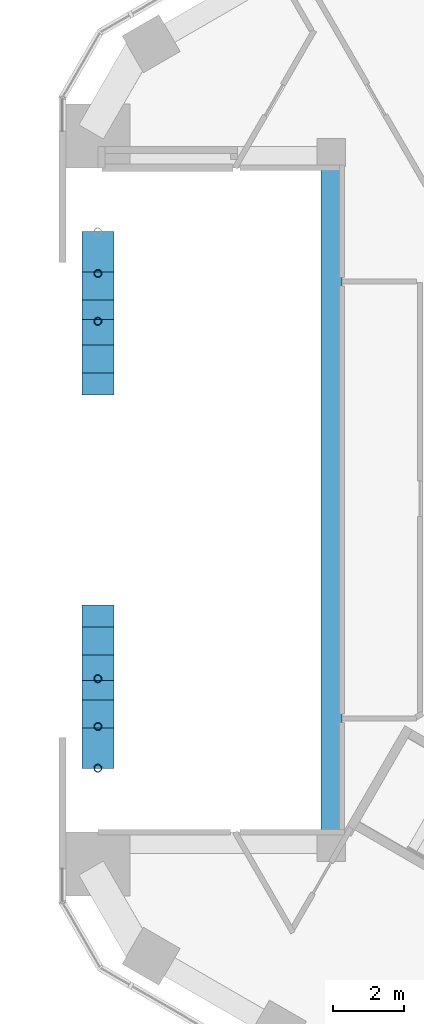
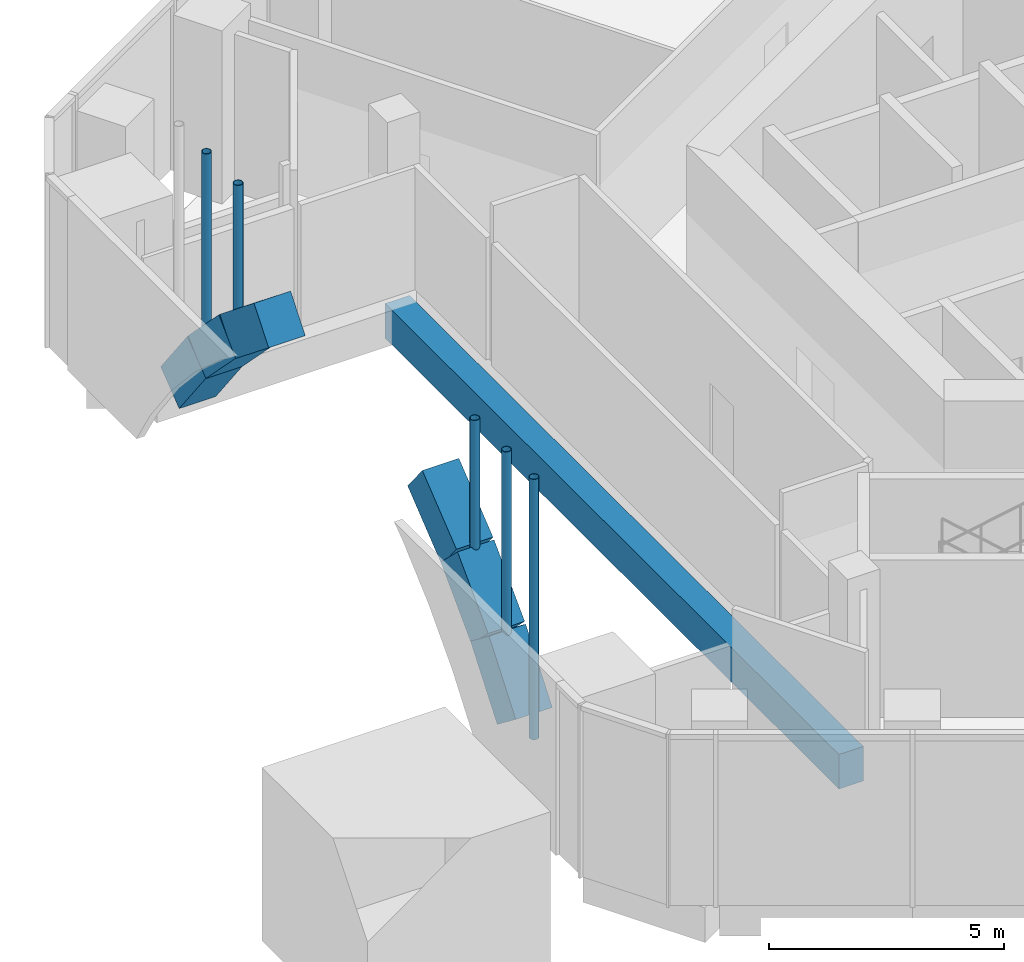
# One storey, part 3 of 14: 7 beams, 5 members.
"""IFC4 building model written with IfcOpenShell, lengths in metres."""

from ifc_helpers import new_model, si_unit, direction, frame, origin, origin_2d, place, context, subcontext, project, spatial, rectangle, hollow_circle, extrude, material, material_profile, profile_set, type_object, element, save


model = new_model("IFC4")

# Units and contexts
model_context = context("Model", 3, precision=1e-05, world=origin(), true_north=direction((0.0, 1.0)))
body_context = subcontext(model_context, "Body", "Model", "MODEL_VIEW")
ifc_project = project(units=[si_unit("LENGTHUNIT", "METRE"), si_unit("AREAUNIT", "SQUARE_METRE"), si_unit("VOLUMEUNIT", "CUBIC_METRE"), si_unit("PLANEANGLEUNIT", "RADIAN"), si_unit("MASSUNIT", "GRAM", prefix="KILO")], contexts=[model_context])

# Site, building, storey
site_placement = place(None, origin())
site = spatial("IfcSite", under=ifc_project, at=site_placement, CompositionType="ELEMENT")
building_placement = place(site_placement, origin())
building = spatial("IfcBuilding", under=site, at=building_placement, Name="Ayvan Gate Tower", CompositionType="ELEMENT")
storey_placement = place(building_placement, frame((0.0, 0.0, 11.5)))
storey = spatial("IfcBuildingStorey", under=building, at=storey_placement, Name="L02", CompositionType="ELEMENT", Elevation=11.5)

# Beams
ifc_material_1 = material(Name="Concrete C60/75", Category="concrete")
ifc_material_profile_1 = material_profile(ifc_material_1, rectangle(XDim=0.89990234375, YDim=1.0, at=origin_2d()), Name="RC 900x1000")
ifc_profile_set_1 = profile_set([ifc_material_profile_1], Name="Concrete C60/75")
beam_type_1 = type_object("IfcBeamType", Name="Arch rib RC 900x1000 C60/75", PredefinedType="BEAM", material=ifc_profile_set_1)
for number, where, z_axis, x_axis, name in (
    (1, (-20.78466796875, 7.16796875, 1.285888671875), (0.0, -0.609862606667, 0.792507161475), (1.0, 0.0, 0.0), "AR-3-6"),
    (2, (-20.78466796875, 6.03076171875, 2.763671875), (0.0, -0.69980301445, 0.714335874058), (1.0, 0.0, 0.0), "AR-3-7"),
    (3, (-20.78466796875, 4.725830078125, 4.095703125), (0.0, -0.779884352811, 0.625923634512), (1.0, 0.0, 0.0), "AR-3-8"),
    (4, (-20.78466796875, -3.271484375, 5.262939453125), (0.0, -0.779884352811, -0.625923634512), (1.0, 0.0, 0.0), "AR-3-13"),
    (5, (-20.78466796875, -4.725830078125, 4.095703125), (0.0, -0.69980301445, -0.714335874058), (1.0, 0.0, 0.0), "AR-3-14"),
    (6, (-20.78466796875, -6.03076171875, 2.763671875), (0.0, -0.609862606667, -0.792507161475), (1.0, 0.0, 0.0), "AR-3-15"),
):
    element("IfcBeam", number, at=place(storey_placement, frame(where, z_axis=z_axis, x_axis=x_axis)), inside=storey, type_object=beam_type_1, Name=name, PredefinedType="BEAM", context=body_context, shape_type="SweptSolid", body=[
        extrude(rectangle(XDim=0.89990234375, YDim=1.0, at=origin_2d()), origin(), (0.0, 0.0, 1.0), 1.86474609375),
    ])

# Members
ifc_material_2 = material(Name="Steel S460NH", Category="steel")
ifc_material_profile_2 = material_profile(ifc_material_2, hollow_circle(Radius=0.109619140625, WallThickness=0.012451171875, at=origin_2d()), Name="CHS 219.1x12.5")
ifc_profile_set_2 = profile_set([ifc_material_profile_2], Name="Steel S460NH")
member_type = type_object("IfcMemberType", Name="Arch rib hanger CHS 219.1x12.5", PredefinedType="STRUT", material=ifc_profile_set_2)
member_1_placement = place(storey_placement, frame((-20.78466796875, 6.387939453125, 2.413818359375), z_axis=(0.0, 0.0, 1.0), x_axis=(1.0, 0.0, 0.0)))
element("IfcMember", 7, at=member_1_placement, inside=storey, type_object=member_type, Name="ARH-3-7", PredefinedType="STRUT", context=body_context, shape_type="SweptSolid", body=[
    extrude(hollow_circle(Radius=0.109619140625, WallThickness=0.012451171875, at=origin_2d()), origin(), (0.0, 0.0, 1.0), 5.336181640625),
])
for number, where, z_axis, x_axis, name in (
    (8, (-20.78466796875, 5.038818359375, 3.705810546875), (0.0, 0.0, 1.0), (1.0, 0.0, 0.0), "ARH-3-8"),
    (9, (-20.78466796875, -5.038818359375, 3.705810546875), (0.0, 0.0, 1.0), (1.0, 0.0, 0.0), "ARH-3-13"),
):
    element("IfcMember", number, at=place(storey_placement, frame(where, z_axis=z_axis, x_axis=x_axis)), inside=storey, type_object=member_type, Name=name, PredefinedType="STRUT", context=body_context, shape_type="SweptSolid", body=[
        extrude(hollow_circle(Radius=0.109619140625, WallThickness=0.012451171875, at=origin_2d()), origin(), (0.0, 0.0, 1.0), 4.044189453125),
    ])
member_2_placement = place(storey_placement, frame((-20.78466796875, -6.387939453125, 2.413818359375), z_axis=(0.0, 0.0, 1.0), x_axis=(1.0, 0.0, 0.0)))
element("IfcMember", 10, at=member_2_placement, inside=storey, type_object=member_type, Name="ARH-3-14", PredefinedType="STRUT", context=body_context, shape_type="SweptSolid", body=[
    extrude(hollow_circle(Radius=0.109619140625, WallThickness=0.012451171875, at=origin_2d()), origin(), (0.0, 0.0, 1.0), 5.336181640625),
])
member_3_placement = place(storey_placement, frame((-20.78466796875, -7.564208984375, 0.98095703125), z_axis=(0.0, 0.0, 1.0), x_axis=(1.0, 0.0, 0.0)))
element("IfcMember", 11, at=member_3_placement, inside=storey, type_object=member_type, Name="ARH-3-15", PredefinedType="STRUT", context=body_context, shape_type="SweptSolid", body=[
    extrude(hollow_circle(Radius=0.109619140625, WallThickness=0.012451171875, at=origin_2d()), origin(), (0.0, 0.0, 1.0), 6.76904296875),
])

# Beam
ifc_material_3 = material(Name="Concrete C40/50", Category="concrete")
ifc_material_profile_3 = material_profile(ifc_material_3, rectangle(XDim=0.60009765625, YDim=0.89990234375, at=origin_2d()), Name="RC 600x900")
ifc_profile_set_3 = profile_set([ifc_material_profile_3], Name="Concrete C40/50")
beam_type_2 = type_object("IfcBeamType", Name="Opening edge beam RC 600x900 C40/50", PredefinedType="BEAM", material=ifc_profile_set_3)
beam_placement = place(storey_placement, frame((-14.199951171875, 9.66796875, -0.85009765625), z_axis=(0.0, -1.0, 0.0), x_axis=(1.0, 0.0, 0.0)))
element("IfcBeam", 12, at=beam_placement, inside=storey, type_object=beam_type_2, Name="OB-L02-3-C", PredefinedType="BEAM", context=body_context, shape_type="SweptSolid", body=[
    extrude(rectangle(XDim=0.60009765625, YDim=0.89990234375, at=origin_2d()), origin(), (0.0, 0.0, 1.0), 19.3359375),
])

save(model, "model.ifc")
